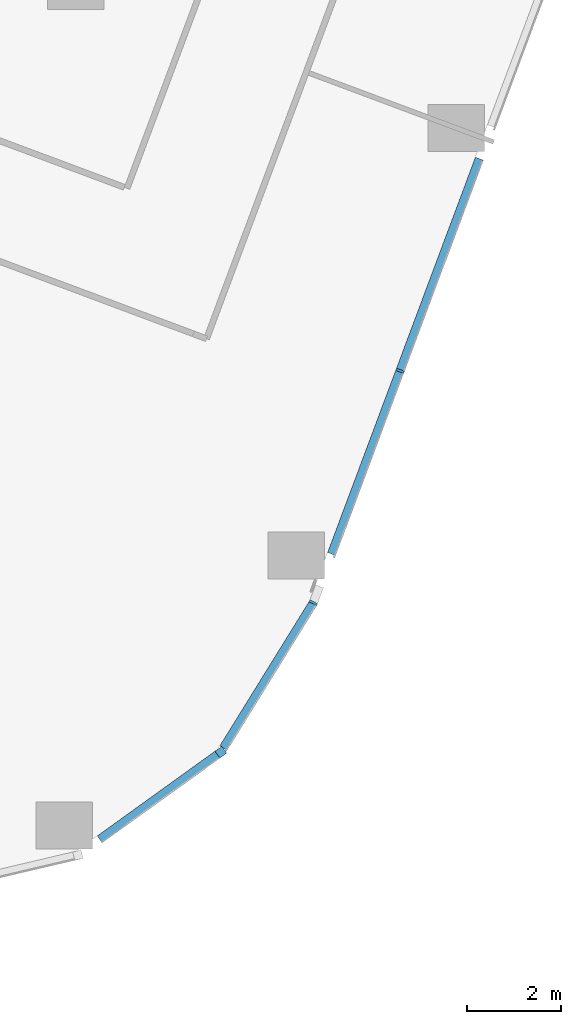
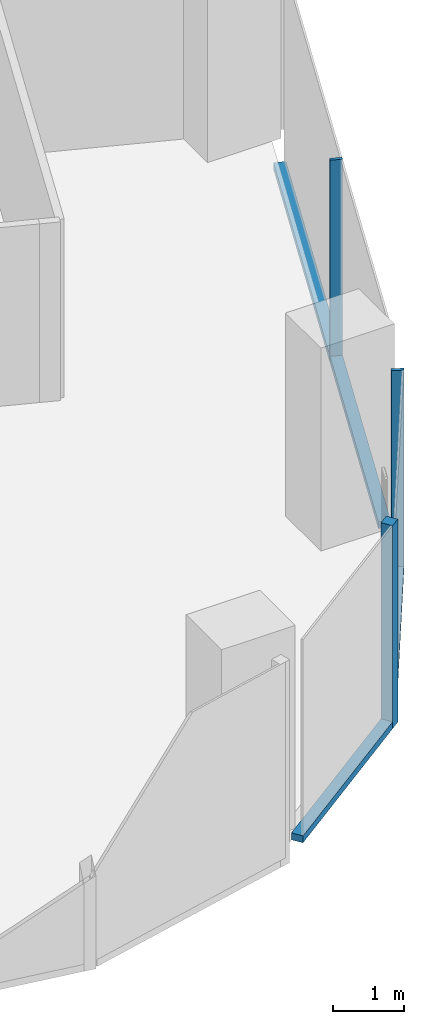
# One storey, part 9 of 31: 6 members, 3 elements without a shape of their own.
"""IFC4 building model written with IfcOpenShell, lengths in metres."""

from ifc_helpers import new_model, si_unit, direction, frame, origin, origin_2d, place, context, subcontext, project, spatial, rectangle, extrude, material, material_profile, profile_set, type_object, element, aggregate, save


model = new_model("IFC4")

# Units and contexts
model_context = context("Model", 3, precision=1e-05, world=origin(), true_north=direction((0.0, 1.0)))
body_context = subcontext(model_context, "Body", "Model", "MODEL_VIEW")
ifc_project = project(units=[si_unit("LENGTHUNIT", "METRE"), si_unit("AREAUNIT", "SQUARE_METRE"), si_unit("VOLUMEUNIT", "CUBIC_METRE"), si_unit("PLANEANGLEUNIT", "RADIAN"), si_unit("MASSUNIT", "GRAM", prefix="KILO")], contexts=[model_context])

# Site, building, storey
site_placement = place(None, origin())
site = spatial("IfcSite", under=ifc_project, at=site_placement, CompositionType="ELEMENT")
building_placement = place(site_placement, origin())
building = spatial("IfcBuilding", under=site, at=building_placement, Name="Orlundy Tower", CompositionType="ELEMENT")
storey_placement = place(building_placement, frame((0.0, 0.0, 87.699951171875)))
storey = spatial("IfcBuildingStorey", under=building, at=storey_placement, Name="L21", CompositionType="ELEMENT", Elevation=87.699951171875)

# Curtain wall, member
ifc_material_1 = material(Name="Aluminium bronze anodised", Category="aluminium")
curtain_wall_type = type_object("IfcCurtainWallType", Name="CW1 wall", PredefinedType="NOTDEFINED", material=ifc_material_1)
curtain_wall_1_placement = place(storey_placement, origin())
curtain_wall_1 = element("IfcCurtainWall", 1, at=curtain_wall_1_placement, inside=storey, type_object=curtain_wall_type, Name="CW1 run 013", PredefinedType="NOTDEFINED")
ifc_material_2 = material(Name="Aluminium bronze anodised", Category="aluminium")
ifc_material_profile_1 = material_profile(ifc_material_2, rectangle(XDim=0.179931640625, YDim=0.179931640625, at=origin_2d()), Name="CW1 corner post 180x180")
ifc_profile_set_1 = profile_set([ifc_material_profile_1], Name="Aluminium bronze anodised")
member_type_1 = type_object("IfcMemberType", Name="CW1 corner post 180x180", PredefinedType="MULLION", material=ifc_profile_set_1)
member_1_placement = place(storey_placement, frame((50.171142578125, -33.886474609375, -0.39990234375), z_axis=(0.0, 0.0, 1.0), x_axis=(0.584347367051, -0.811503638082, 0.0)))
member_1 = element("IfcMember", 2, at=member_1_placement, type_object=member_type_1, Name="CW1 mullion 41", PredefinedType="MULLION", context=body_context, shape_type="SweptSolid", body=[
    extrude(rectangle(XDim=0.179931640625, YDim=0.179931640625, at=origin_2d()), origin(), (0.0, 0.0, 1.0), 3.5),
])

curtain_wall_2_placement = place(storey_placement, origin())
curtain_wall_2 = element("IfcCurtainWall", 3, at=curtain_wall_2_placement, inside=storey, type_object=curtain_wall_type, Name="CW1 run 011", PredefinedType="NOTDEFINED")
ifc_material_3 = material(Name="Aluminium bronze anodised", Category="aluminium")
ifc_material_profile_2 = material_profile(ifc_material_3, rectangle(XDim=0.179931640625, YDim=0.050048828125, at=origin_2d()), Name="CW1 mullion 50x180")
ifc_profile_set_2 = profile_set([ifc_material_profile_2], Name="Aluminium bronze anodised")
member_type_2 = type_object("IfcMemberType", Name="CW1 mullion 50x180", PredefinedType="MULLION", material=ifc_profile_set_2)
member_2_placement = place(storey_placement, frame((53.977783203125, -25.7861328125, -0.39990234375), z_axis=(0.0, 0.0, 1.0), x_axis=(0.936677057252, -0.350194360916, 0.0)))
member_2 = element("IfcMember", 4, at=member_2_placement, type_object=member_type_2, Name="CW1 mullion 39", PredefinedType="MULLION", context=body_context, shape_type="SweptSolid", body=[
    extrude(rectangle(XDim=0.179931640625, YDim=0.050048828125, at=origin_2d()), origin(), (0.0, 0.0, 1.0), 3.5),
])

curtain_wall_3_placement = place(storey_placement, origin())
curtain_wall_3 = element("IfcCurtainWall", 5, at=curtain_wall_3_placement, inside=storey, type_object=curtain_wall_type, Name="CW1 run 012", PredefinedType="NOTDEFINED")
member_3_placement = place(storey_placement, frame((52.13623046875, -30.7119140625, -0.39990234375), z_axis=(0.0, 0.0, 1.0), x_axis=(0.897814185367, -0.44037448672, 0.0)))
member_3 = element("IfcMember", 6, at=member_3_placement, type_object=member_type_2, Name="CW1 mullion 40", PredefinedType="MULLION", context=body_context, shape_type="SweptSolid", body=[
    extrude(rectangle(XDim=0.179931640625, YDim=0.050048828125, at=origin_2d()), origin(), (0.0, 0.0, 1.0), 3.5),
])

# Member
ifc_material_4 = material(Name="Aluminium bronze anodised", Category="aluminium")
ifc_material_profile_3 = material_profile(ifc_material_4, rectangle(XDim=0.179931640625, YDim=0.1201171875, at=origin_2d()), Name="CW1 transom 180x120")
ifc_profile_set_3 = profile_set([ifc_material_profile_3], Name="Aluminium bronze anodised")
member_type_3 = type_object("IfcMemberType", Name="CW1 transom 180x120", PredefinedType="USERDEFINED", material=ifc_profile_set_3)
member_4_placement = place(storey_placement, frame((55.66357421875, -21.277099609375, -0.33984375), z_axis=(-0.350201406125, -0.936674423238, 0.0), x_axis=(0.936674423238, -0.350201406125, 0.0)))
member_4 = element("IfcMember", 7, at=member_4_placement, type_object=member_type_3, Name="CW1 transom", ObjectType="TRANSOM", PredefinedType="USERDEFINED", context=body_context, shape_type="SweptSolid", body=[
    extrude(rectangle(XDim=0.179931640625, YDim=0.1201171875, at=origin_2d()), origin(), (0.0, 0.0, 1.0), 8.968017578125),
])

aggregate(curtain_wall_2, [member_2, member_4])

member_5_placement = place(storey_placement, frame((52.123046875, -30.733154296875, -0.33984375), z_axis=(-0.526317375067, -0.850288198614, 0.0), x_axis=(0.850288198614, -0.526317375067, 0.0)))
member_5 = element("IfcMember", 8, at=member_5_placement, type_object=member_type_3, Name="CW1 transom", ObjectType="TRANSOM", PredefinedType="USERDEFINED", context=body_context, shape_type="SweptSolid", body=[
    extrude(rectangle(XDim=0.179931640625, YDim=0.1201171875, at=origin_2d()), origin(), (0.0, 0.0, 1.0), 3.611083984375),
])

aggregate(curtain_wall_3, [member_3, member_5])

member_6_placement = place(storey_placement, frame((50.09814453125, -33.939208984375, -0.33984375), z_axis=(-0.811511804661, -0.58433602567, 0.0), x_axis=(0.58433602567, -0.811511804661, 0.0)))
member_6 = element("IfcMember", 9, at=member_6_placement, type_object=member_type_3, Name="CW1 transom", ObjectType="TRANSOM", PredefinedType="USERDEFINED", context=body_context, shape_type="SweptSolid", body=[
    extrude(rectangle(XDim=0.179931640625, YDim=0.1201171875, at=origin_2d()), origin(), (0.0, 0.0, 1.0), 3.082275390625),
])

aggregate(curtain_wall_1, [member_1, member_6])

save(model, "model.ifc")
